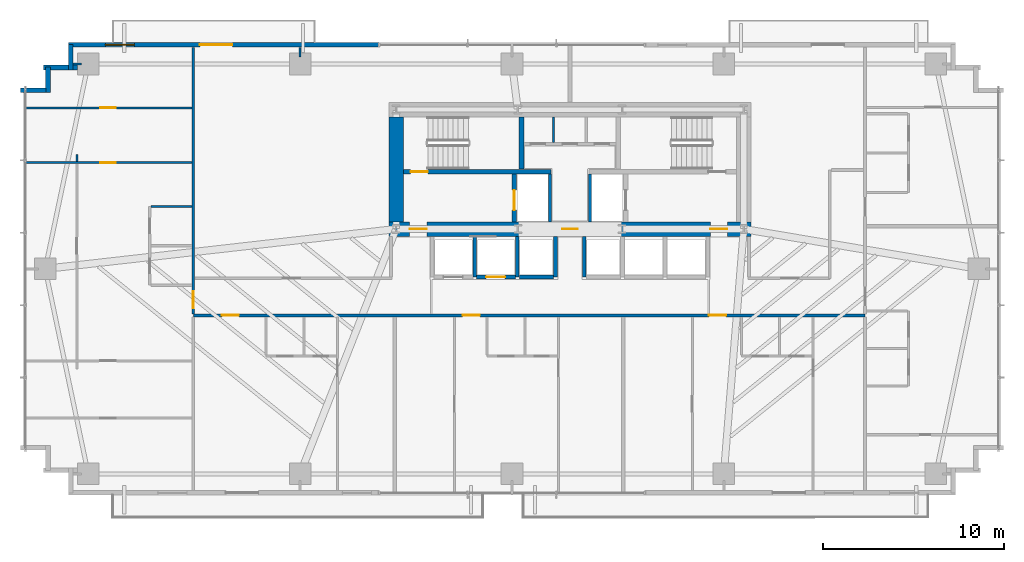
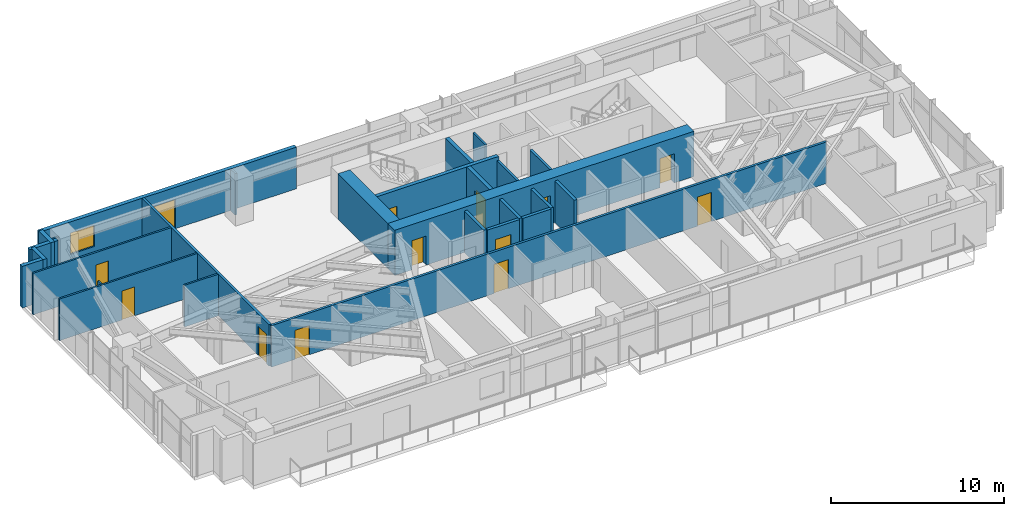
# One storey, part 20 of 25: 27 walls, 13 doors, 1 window, 14 openings.
"""IFC4 building model written with IfcOpenShell, lengths in metres."""

from ifc_helpers import new_model, si_unit, direction, frame, frame_2d, origin, place, context, subcontext, project, spatial, rectangle, extrude, source, transform, mapped, material, layer, layer_set, type_object, type_shapes, element, fill, save


model = new_model("IFC4")

# Units and contexts
model_context = context("Model", 3, precision=1e-05, world=origin(), true_north=direction((0.0, 1.0)))
body_context = subcontext(model_context, "Body", "Model", "MODEL_VIEW")
ifc_project = project(units=[si_unit("LENGTHUNIT", "METRE"), si_unit("AREAUNIT", "SQUARE_METRE"), si_unit("VOLUMEUNIT", "CUBIC_METRE"), si_unit("PLANEANGLEUNIT", "RADIAN"), si_unit("MASSUNIT", "GRAM", prefix="KILO")], contexts=[model_context])

# Site, building, storey
site_placement = place(None, origin())
site = spatial("IfcSite", under=ifc_project, at=site_placement, CompositionType="ELEMENT")
building_placement = place(site_placement, origin())
building = spatial("IfcBuilding", under=site, at=building_placement, Name="Astriad Promenade Condominiums", CompositionType="ELEMENT")
storey_placement = place(building_placement, frame((0.0, 0.0, 42.199951171875)))
storey = spatial("IfcBuildingStorey", under=building, at=storey_placement, Name="L11", CompositionType="ELEMENT", Elevation=42.199951171875)

# Wall, openings, doors
ifc_material_1 = material(Name="Concrete C80/95", Category="concrete")
ifc_layer_1 = layer(ifc_material_1, 0.800048828125)
ifc_layer_set_1 = layer_set([ifc_layer_1], Name="Concrete C80/95")
wall_type_1 = type_object("IfcWallType", Name="CW-SHEAR-800", PredefinedType="SHEAR", material=ifc_layer_set_1)
wall_1_placement = place(storey_placement, frame((26.0, 17.39990234375, 0.0), z_axis=(0.0, 0.0, 1.0), x_axis=(1.0, 0.0, 0.0)))
wall_1 = element("IfcWall", 1, at=wall_1_placement, inside=storey, type_object=wall_type_1, Name="CW-CORE-S-L11", PredefinedType="SHEAR", context=body_context, shape_type="SweptSolid", body=[
    extrude(rectangle(XDim=20.0, YDim=0.800048828125, at=frame_2d((10.0, 0.0))), origin(), (0.0, 0.0, 1.0), 3.199951171875),
])
opening_1_placement = place(wall_1_placement, frame((1.14990234375, 0.0, 0.0)))
opening_1 = element("IfcOpeningElement", 2, at=opening_1_placement, cuts=wall_1, Name="Opening FD90-ST-095", PredefinedType="OPENING", context=body_context, shape_type="SweptSolid", body=[
    extrude(rectangle(XDim=0.949951171875, YDim=2.06005859375, at=frame_2d((0.47509765625, 1.030029296875))), frame((0.0, 0.409912109375, 0.0), z_axis=(0.0, -1.0, 0.0), x_axis=(1.0, 0.0, 0.0)), (0.0, 0.0, 1.0), 0.820068359375),
])
opening_2_placement = place(wall_1_placement, frame((9.580078125, 0.0, 0.0)))
opening_2 = element("IfcOpeningElement", 3, at=opening_2_placement, cuts=wall_1, Name="Opening FD60-ULOW-085", PredefinedType="OPENING", context=body_context, shape_type="SweptSolid", body=[
    extrude(rectangle(XDim=0.85009765625, YDim=2.0, at=frame_2d((0.425048828125, 1.0))), frame((0.0, 0.409912109375, 0.0), z_axis=(0.0, -1.0, 0.0), x_axis=(1.0, 0.0, 0.0)), (0.0, 0.0, 1.0), 0.820068359375),
])
opening_3_placement = place(wall_1_placement, frame((17.75, 0.0, 0.0)))
opening_3 = element("IfcOpeningElement", 4, at=opening_3_placement, cuts=wall_1, Name="Opening FD90-ST-095", PredefinedType="OPENING", context=body_context, shape_type="SweptSolid", body=[
    extrude(rectangle(XDim=0.949951171875, YDim=2.06005859375, at=frame_2d((0.47509765625, 1.030029296875))), frame((0.0, 0.409912109375, 0.0), z_axis=(0.0, -1.0, 0.0), x_axis=(1.0, 0.0, 0.0)), (0.0, 0.0, 1.0), 0.820068359375),
])
ifc_material_2 = material(Name="Fire-Rated Hollow Metal Stair Door")
door_type_1 = type_object("IfcDoorType", Name="FD90-ST-095", OperationType="NOTDEFINED", PredefinedType="DOOR", material=ifc_material_2)
shared_shape_1 = source(origin(), body_context, "Body", "SweptSolid", [
    extrude(rectangle(XDim=0.949951171875, YDim=2.06005859375, at=frame_2d((0.47509765625, 1.030029296875))), frame((0.0, 0.02490234375, 0.0), z_axis=(0.0, -1.0, 0.0), x_axis=(1.0, 0.0, 0.0)), (0.0, 0.0, 1.0), 0.050048828125),
])
type_shapes(door_type_1, [shared_shape_1])
door_1_placement = place(opening_1_placement, origin())
door_1 = element("IfcDoor", 5, at=door_1_placement, inside=storey, type_object=door_type_1, Name="D-FFW-L11", OperationType="SINGLE_SWING_LEFT", OverallHeight=2.06005859375, OverallWidth=0.949951171875, PredefinedType="DOOR", context=body_context, shape_type="MappedRepresentation", body=[
    mapped(shared_shape_1, transform((0.0, 0.0, 0.0), scale=1.0)),
])
fill(opening_1, door_1)
door_2_placement = place(opening_3_placement, origin())
door_2 = element("IfcDoor", 6, at=door_2_placement, inside=storey, type_object=door_type_1, Name="D-FFE-L11", OperationType="SINGLE_SWING_RIGHT", OverallHeight=2.06005859375, OverallWidth=0.949951171875, PredefinedType="DOOR", context=body_context, shape_type="MappedRepresentation", body=[
    mapped(shared_shape_1, transform((0.0, 0.0, 0.0), scale=1.0)),
])
fill(opening_3, door_2)
ifc_material_3 = material(Name="Solid-Core Low-Headroom Fire Door")
door_type_2 = type_object("IfcDoorType", Name="FD60-ULOW-085", OperationType="NOTDEFINED", PredefinedType="DOOR", material=ifc_material_3)
shared_shape_2 = source(origin(), body_context, "Body", "SweptSolid", [
    extrude(rectangle(XDim=0.85009765625, YDim=2.0, at=frame_2d((0.425048828125, 1.0))), frame((0.0, 0.02490234375, 0.0), z_axis=(0.0, -1.0, 0.0), x_axis=(1.0, 0.0, 0.0)), (0.0, 0.0, 1.0), 0.050048828125),
])
type_shapes(door_type_2, [shared_shape_2])
door_3_placement = place(opening_2_placement, origin())
door_3 = element("IfcDoor", 7, at=door_3_placement, inside=storey, type_object=door_type_2, Name="D-CSL-L11", OperationType="SINGLE_SWING_RIGHT", OverallHeight=2.0, OverallWidth=0.85009765625, PredefinedType="DOOR", context=body_context, shape_type="MappedRepresentation", body=[
    mapped(shared_shape_2, transform((0.0, 0.0, 0.0), scale=1.0)),
])
fill(opening_2, door_3)

# Wall
wall_2_placement = place(storey_placement, frame((26.39990234375, 17.802001953125, 0.0), z_axis=(0.0, 0.0, 1.0), x_axis=(0.0, 1.0, 0.0)))
element("IfcWall", 8, at=wall_2_placement, inside=storey, type_object=wall_type_1, Name="CW-CORE-W-L11", PredefinedType="SHEAR", context=body_context, shape_type="SweptSolid", body=[
    extrude(rectangle(XDim=5.7958984375, YDim=0.800048828125, at=frame_2d((2.89794921875, 0.0))), origin(), (0.0, 0.0, 1.0), 3.199951171875),
])

# Wall, opening, door
ifc_material_4 = material(Name="Concrete C50/60", Category="concrete")
ifc_layer_2 = layer(ifc_material_4, 0.25)
ifc_layer_set_2 = layer_set([ifc_layer_2], Name="Concrete C50/60")
wall_type_2 = type_object("IfcWallType", Name="WALL-CORE-INT-250", PredefinedType="SOLIDWALL", material=ifc_layer_set_2)
wall_3_placement = place(storey_placement, frame((26.802001953125, 20.574951171875, 0.0), z_axis=(0.0, 0.0, 1.0), x_axis=(1.0, 0.0, 0.0)))
wall_3 = element("IfcWall", 9, at=wall_3_placement, inside=storey, type_object=wall_type_2, Name="CW-INT-H1-L11", PredefinedType="SOLIDWALL", context=body_context, shape_type="SweptSolid", body=[
    extrude(rectangle(XDim=8.14794921875, YDim=0.25, at=frame_2d((4.073974609375, 0.0))), origin(), (0.0, 0.0, 1.0), 3.199951171875),
])
opening_4_placement = place(wall_3_placement, frame((0.39794921875, 0.0, 0.0)))
opening_4 = element("IfcOpeningElement", 10, at=opening_4_placement, cuts=wall_3, Name="Opening FD90-ST-095", PredefinedType="OPENING", context=body_context, shape_type="SweptSolid", body=[
    extrude(rectangle(XDim=0.949951171875, YDim=2.06005859375, at=frame_2d((0.47509765625, 1.030029296875))), frame((0.0, 0.135009765625, 0.0), z_axis=(0.0, -1.0, 0.0), x_axis=(1.0, 0.0, 0.0)), (0.0, 0.0, 1.0), 0.27001953125),
])
door_4_placement = place(opening_4_placement, origin())
door_4 = element("IfcDoor", 11, at=door_4_placement, inside=storey, type_object=door_type_1, Name="D-ST1-L11", OperationType="SINGLE_SWING_RIGHT", OverallHeight=2.06005859375, OverallWidth=0.949951171875, PredefinedType="DOOR", context=body_context, shape_type="MappedRepresentation", body=[
    mapped(shared_shape_1, transform((0.0, 0.0, 0.0), scale=1.0)),
])
fill(opening_4, door_4)

# Wall
wall_4_placement = place(storey_placement, frame((33.324951171875, 20.701904296875, 0.0), z_axis=(0.0, 0.0, 1.0), x_axis=(0.0, 1.0, 0.0)))
element("IfcWall", 12, at=wall_4_placement, inside=storey, type_object=wall_type_2, Name="CW-ST1-E-L11", PredefinedType="SOLIDWALL", context=body_context, shape_type="SweptSolid", body=[
    extrude(rectangle(XDim=2.89599609375, YDim=0.25, at=frame_2d((1.447998046875, 0.0))), origin(), (0.0, 0.0, 1.0), 3.199951171875),
])

# Wall, opening, door
wall_5_placement = place(storey_placement, frame((32.925048828125, 17.802001953125, 0.0), z_axis=(0.0, 0.0, 1.0), x_axis=(0.0, 1.0, 0.0)))
wall_5 = element("IfcWall", 13, at=wall_5_placement, inside=storey, type_object=wall_type_2, Name="CW-FFL1-W-L11", PredefinedType="SOLIDWALL", context=body_context, shape_type="SweptSolid", body=[
    extrude(rectangle(XDim=2.64599609375, YDim=0.25, at=frame_2d((1.322998046875, 0.0))), origin(), (0.0, 0.0, 1.0), 3.199951171875),
])
opening_5_placement = place(wall_5_placement, frame((0.64794921875, 0.0, 0.0)))
opening_5 = element("IfcOpeningElement", 14, at=opening_5_placement, cuts=wall_5, Name="Opening LD-FFL-1122", PredefinedType="OPENING", context=body_context, shape_type="SweptSolid", body=[
    extrude(rectangle(XDim=1.10009765625, YDim=2.080078125, at=frame_2d((0.550048828125, 1.0400390625))), frame((0.0, 0.135009765625, 0.0), z_axis=(0.0, -1.0, 0.0), x_axis=(1.0, 0.0, 0.0)), (0.0, 0.0, 1.0), 0.27001953125),
])
ifc_material_5 = material(Name="Brushed Stainless Steel Fire Elevator Landing Door", Category="steel")
door_type_3 = type_object("IfcDoorType", Name="LD-FFL-1122", OperationType="NOTDEFINED", PredefinedType="DOOR", material=ifc_material_5)
shared_shape_3 = source(origin(), body_context, "Body", "SweptSolid", [
    extrude(rectangle(XDim=1.10009765625, YDim=2.080078125, at=frame_2d((0.550048828125, 1.0400390625))), frame((0.0, 0.02490234375, 0.0), z_axis=(0.0, -1.0, 0.0), x_axis=(1.0, 0.0, 0.0)), (0.0, 0.0, 1.0), 0.050048828125),
])
type_shapes(door_type_3, [shared_shape_3])
door_5_placement = place(opening_5_placement, origin())
door_5 = element("IfcDoor", 15, at=door_5_placement, inside=storey, type_object=door_type_3, Name="Elevator Landing Door FFL-1 (L11)", OperationType="SLIDING_TO_LEFT", OverallHeight=2.080078125, OverallWidth=1.10009765625, PredefinedType="DOOR", context=body_context, shape_type="MappedRepresentation", body=[
    mapped(shared_shape_3, transform((0.0, 0.0, 0.0), scale=1.0)),
])
fill(opening_5, door_5)

# Walls
ifc_material_6 = material(Name="Fire-Rated Gypsum Partition")
ifc_layer_3 = layer(ifc_material_6, 0.159912109375)
ifc_layer_set_3 = layer_set([ifc_layer_3], Name="Fire-Rated Gypsum Partition")
wall_type_3 = type_object("IfcWallType", Name="WALL-CORR-160", PredefinedType="PARTITIONING", material=ifc_layer_set_3)
for number, where, z_axis, x_axis, name in (
    (16, (34.89990234375, 17.802001953125, 0.0), (0.0, 0.0, 1.0), (0.0, 1.0, 0.0), "CW-FFL1-E-L11"),
    (17, (37.10009765625, 17.802001953125, 0.0), (0.0, 0.0, 1.0), (0.0, 1.0, 0.0), "CW-FFL2-W-L11"),
):
    element("IfcWall", number, at=place(storey_placement, frame(where, z_axis=z_axis, x_axis=x_axis)), inside=storey, type_object=wall_type_3, Name=name, PredefinedType="PARTITIONING", context=body_context, shape_type="SweptSolid", body=[
        extrude(rectangle(XDim=2.64599609375, YDim=0.159912109375, at=frame_2d((1.322998046875, 0.0))), origin(), (0.0, 0.0, 1.0), 2.93994140625),
    ])

# Wall, openings, doors
wall_6_placement = place(storey_placement, frame((15.199951171875, 12.6298828125, 0.0), z_axis=(0.0, 0.0, 1.0), x_axis=(1.0, 0.0, 0.0)))
wall_6 = element("IfcWall", 18, at=wall_6_placement, inside=storey, type_object=wall_type_3, Name="PT-COR-S-L11", PredefinedType="PARTITIONING", context=body_context, shape_type="SweptSolid", body=[
    extrude(rectangle(XDim=37.10009765625, YDim=0.159912109375, at=frame_2d((18.550048828125, 0.0))), origin(), (0.0, 0.0, 1.0), 2.93994140625),
])
opening_6_placement = place(wall_6_placement, frame((1.572021484375, 0.0, 0.0)))
opening_6 = element("IfcOpeningElement", 19, at=opening_6_placement, cuts=wall_6, Name="Opening FD60-APT-095", PredefinedType="OPENING", context=body_context, shape_type="SweptSolid", body=[
    extrude(rectangle(XDim=0.949951171875, YDim=2.06005859375, at=frame_2d((0.47509765625, 1.030029296875))), frame((0.0, 0.08984375, 0.0), z_axis=(0.0, -1.0, 0.0), x_axis=(1.0, 0.0, 0.0)), (0.0, 0.0, 1.0), 0.179931640625),
])
opening_7_placement = place(wall_6_placement, frame((14.876953125, 0.0, 0.0)))
opening_7 = element("IfcOpeningElement", 20, at=opening_7_placement, cuts=wall_6, Name="Opening FD60-APT-095", PredefinedType="OPENING", context=body_context, shape_type="SweptSolid", body=[
    extrude(rectangle(XDim=0.949951171875, YDim=2.06005859375, at=frame_2d((0.47509765625, 1.030029296875))), frame((0.0, 0.08984375, 0.0), z_axis=(0.0, -1.0, 0.0), x_axis=(1.0, 0.0, 0.0)), (0.0, 0.0, 1.0), 0.179931640625),
])
opening_8_placement = place(wall_6_placement, frame((28.47607421875, 0.0, 0.0)))
opening_8 = element("IfcOpeningElement", 21, at=opening_8_placement, cuts=wall_6, Name="Opening FD60-APT-095", PredefinedType="OPENING", context=body_context, shape_type="SweptSolid", body=[
    extrude(rectangle(XDim=0.949951171875, YDim=2.06005859375, at=frame_2d((0.47509765625, 1.030029296875))), frame((0.0, 0.08984375, 0.0), z_axis=(0.0, -1.0, 0.0), x_axis=(1.0, 0.0, 0.0)), (0.0, 0.0, 1.0), 0.179931640625),
])
ifc_material_7 = material(Name="Solid-Core Acoustic Timber Residence Entry Door", Category="wood")
door_type_4 = type_object("IfcDoorType", Name="FD60-APT-095", OperationType="NOTDEFINED", PredefinedType="DOOR", material=ifc_material_7)
shared_shape_4 = source(origin(), body_context, "Body", "SweptSolid", [
    extrude(rectangle(XDim=0.949951171875, YDim=2.06005859375, at=frame_2d((0.47509765625, 1.030029296875))), frame((0.0, 0.02490234375, 0.0), z_axis=(0.0, -1.0, 0.0), x_axis=(1.0, 0.0, 0.0)), (0.0, 0.0, 1.0), 0.050048828125),
])
type_shapes(door_type_4, [shared_shape_4])
door_6_placement = place(opening_6_placement, origin())
door_6 = element("IfcDoor", 22, at=door_6_placement, inside=storey, type_object=door_type_4, Name="D-ENT-L11-S1", OperationType="SINGLE_SWING_LEFT", OverallHeight=2.06005859375, OverallWidth=0.949951171875, PredefinedType="DOOR", context=body_context, shape_type="MappedRepresentation", body=[
    mapped(shared_shape_4, transform((0.0, 0.0, 0.0), scale=1.0)),
])
fill(opening_6, door_6)
door_7_placement = place(opening_7_placement, origin())
door_7 = element("IfcDoor", 23, at=door_7_placement, inside=storey, type_object=door_type_4, Name="D-ENT-L11-S2", OperationType="SINGLE_SWING_RIGHT", OverallHeight=2.06005859375, OverallWidth=0.949951171875, PredefinedType="DOOR", context=body_context, shape_type="MappedRepresentation", body=[
    mapped(shared_shape_4, transform((0.0, 0.0, 0.0), scale=1.0)),
])
fill(opening_7, door_7)
door_8_placement = place(opening_8_placement, origin())
door_8 = element("IfcDoor", 24, at=door_8_placement, inside=storey, type_object=door_type_4, Name="D-ENT-L11-S3", OperationType="SINGLE_SWING_LEFT", OverallHeight=2.06005859375, OverallWidth=0.949951171875, PredefinedType="DOOR", context=body_context, shape_type="MappedRepresentation", body=[
    mapped(shared_shape_4, transform((0.0, 0.0, 0.0), scale=1.0)),
])
fill(opening_8, door_8)

# Wall, opening, door
wall_7_placement = place(storey_placement, frame((15.199951171875, 12.7119140625, 0.0), z_axis=(0.0, 0.0, 1.0), x_axis=(0.0, 1.0, 0.0)))
wall_7 = element("IfcWall", 25, at=wall_7_placement, inside=storey, type_object=wall_type_3, Name="PT-COR-W-L11-S2", PredefinedType="PARTITIONING", context=body_context, shape_type="SweptSolid", body=[
    extrude(rectangle(XDim=14.72607421875, YDim=0.159912109375, at=frame_2d((7.363037109375, 0.0))), origin(), (0.0, 0.0, 1.0), 2.93994140625),
])
opening_9_placement = place(wall_7_placement, frame((0.31201171875, 0.0, 0.0)))
opening_9 = element("IfcOpeningElement", 26, at=opening_9_placement, cuts=wall_7, Name="Opening FD60-APT-095", PredefinedType="OPENING", context=body_context, shape_type="SweptSolid", body=[
    extrude(rectangle(XDim=0.949951171875, YDim=2.06005859375, at=frame_2d((0.47509765625, 1.030029296875))), frame((0.0, 0.08984375, 0.0), z_axis=(0.0, -1.0, 0.0), x_axis=(1.0, 0.0, 0.0)), (0.0, 0.0, 1.0), 0.179931640625),
])
door_9_placement = place(opening_9_placement, origin())
door_9 = element("IfcDoor", 27, at=door_9_placement, inside=storey, type_object=door_type_4, Name="D-ENT-L11-W1", OperationType="SINGLE_SWING_LEFT", OverallHeight=2.06005859375, OverallWidth=0.949951171875, PredefinedType="DOOR", context=body_context, shape_type="MappedRepresentation", body=[
    mapped(shared_shape_4, transform((0.0, 0.0, 0.0), scale=1.0)),
])
fill(opening_9, door_9)

# Walls
ifc_material_8 = material(Name="Precast concrete C50/60", Category="concrete")
ifc_layer_4 = layer(ifc_material_8, 0.260009765625)
ifc_layer_set_4 = layer_set([ifc_layer_4], Name="Precast concrete C50/60")
wall_type_4 = type_object("IfcWallType", Name="WALL-EXT-TWR-260", PredefinedType="STANDARD", material=ifc_layer_set_4)
for number, where, z_axis, x_axis, name in (
    (28, (5.669921875, 25.070068359375, 0.0), (0.0, 0.0, 1.0), (1.0, 0.0, 0.0), "W-SER-L11-04"),
    (29, (7.179931640625, 24.93994140625, 0.0), (0.0, 0.0, 1.0), (0.0, 1.0, 0.0), "W-SER-L11-05"),
):
    element("IfcWall", number, at=place(storey_placement, frame(where, z_axis=z_axis, x_axis=x_axis)), inside=storey, type_object=wall_type_4, Name=name, PredefinedType="STANDARD", context=body_context, shape_type="SweptSolid", body=[
        extrude(rectangle(XDim=1.39501953125, YDim=0.260009765625, at=frame_2d((0.697509765625, 0.0))), origin(), (0.0, 0.0, 1.0), 2.93994140625),
    ])
wall_8_placement = place(storey_placement, frame((6.919921875, 26.320068359375, 0.0), z_axis=(0.0, 0.0, 1.0), x_axis=(1.0, 0.0, 0.0)))
element("IfcWall", 30, at=wall_8_placement, inside=storey, type_object=wall_type_4, Name="W-SER-L11-06", PredefinedType="STANDARD", context=body_context, shape_type="SweptSolid", body=[
    extrude(rectangle(XDim=1.878173828125, YDim=0.260009765625, at=frame_2d((0.93896484375, 0.0))), origin(), (0.0, 0.0, 1.0), 2.93994140625),
])
wall_9_placement = place(storey_placement, frame((8.429931640625, 26.18994140625, 0.0), z_axis=(0.0, 0.0, 1.0), x_axis=(0.0, 1.0, 0.0)))
element("IfcWall", 31, at=wall_9_placement, inside=storey, type_object=wall_type_4, Name="W-SER-L11-07", PredefinedType="STANDARD", context=body_context, shape_type="SweptSolid", body=[
    extrude(rectangle(XDim=1.39501953125, YDim=0.260009765625, at=frame_2d((0.697509765625, 0.0))), origin(), (0.0, 0.0, 1.0), 2.93994140625),
])

# Wall, openings, door, window
wall_10_placement = place(storey_placement, frame((8.300048828125, 27.570068359375, 0.0), z_axis=(0.0, 0.0, 1.0), x_axis=(1.0, 0.0, 0.0)))
wall_10 = element("IfcWall", 32, at=wall_10_placement, inside=storey, type_object=wall_type_4, Name="W-EXT-L11-N1", PredefinedType="STANDARD", context=body_context, shape_type="SweptSolid", body=[
    extrude(rectangle(XDim=17.14990234375, YDim=0.260009765625, at=frame_2d((8.574951171875, 0.0))), origin(), (0.0, 0.0, 1.0), 2.93994140625),
])
opening_10_placement = place(wall_10_placement, frame((7.263916015625, 0.0, 0.0)))
opening_10 = element("IfcOpeningElement", 33, at=opening_10_placement, cuts=wall_10, Name="Opening BD-1822-SLD", PredefinedType="OPENING", context=body_context, shape_type="SweptSolid", body=[
    extrude(rectangle(XDim=1.800048828125, YDim=2.06005859375, at=frame_2d((0.89990234375, 1.030029296875))), frame((0.0, 0.139892578125, 0.0), z_axis=(0.0, -1.0, 0.0), x_axis=(1.0, 0.0, 0.0)), (0.0, 0.0, 1.0), 0.280029296875),
])
opening_11_placement = place(wall_10_placement, frame((2.050048828125, 0.0, 0.64990234375)))
opening_11 = element("IfcOpeningElement", 34, at=opening_11_placement, cuts=wall_10, Name="Opening WIN-TWR-1620", PredefinedType="OPENING", context=body_context, shape_type="SweptSolid", body=[
    extrude(rectangle(XDim=1.60009765625, YDim=1.5, at=frame_2d((0.800048828125, 0.75))), frame((0.0, 0.139892578125, 0.0), z_axis=(0.0, -1.0, 0.0), x_axis=(1.0, 0.0, 0.0)), (0.0, 0.0, 1.0), 0.280029296875),
])
ifc_material_9 = material(Name="Thermally Broken Aluminium Sliding Balcony Door", Category="aluminium")
door_type_5 = type_object("IfcDoorType", Name="BD-1822-SLD", OperationType="NOTDEFINED", PredefinedType="DOOR", material=ifc_material_9)
shared_shape_5 = source(origin(), body_context, "Body", "SweptSolid", [
    extrude(rectangle(XDim=1.800048828125, YDim=2.06005859375, at=frame_2d((0.89990234375, 1.030029296875))), frame((0.0, 0.02490234375, 0.0), z_axis=(0.0, -1.0, 0.0), x_axis=(1.0, 0.0, 0.0)), (0.0, 0.0, 1.0), 0.050048828125),
])
type_shapes(door_type_5, [shared_shape_5])
door_10_placement = place(opening_10_placement, origin())
door_10 = element("IfcDoor", 35, at=door_10_placement, inside=storey, type_object=door_type_5, Name="BD-L11-NW", OperationType="SLIDING_TO_LEFT", OverallHeight=2.06005859375, OverallWidth=1.800048828125, PredefinedType="DOOR", context=body_context, shape_type="MappedRepresentation", body=[
    mapped(shared_shape_5, transform((0.0, 0.0, 0.0), scale=1.0)),
])
fill(opening_10, door_10)
ifc_material_10 = material(Name="Dark Tinted Triple-Glazed Aluminium Window", Category="aluminium")
window_type = type_object("IfcWindowType", Name="WIN-TWR-1620", PartitioningType="SINGLE_PANEL", PredefinedType="WINDOW", material=ifc_material_10)
shared_shape_6 = source(origin(), body_context, "Body", "SweptSolid", [
    extrude(rectangle(XDim=1.60009765625, YDim=1.5, at=frame_2d((0.800048828125, 0.75))), frame((0.0, 0.030029296875, 0.0), z_axis=(0.0, -1.0, 0.0), x_axis=(1.0, 0.0, 0.0)), (0.0, 0.0, 1.0), 0.06005859375),
])
type_shapes(window_type, [shared_shape_6])
window_placement = place(opening_11_placement, origin())
window = element("IfcWindow", 36, at=window_placement, inside=storey, type_object=window_type, Name="WIN-L11-NW", OverallHeight=1.5, OverallWidth=1.60009765625, PartitioningType="SINGLE_PANEL", PredefinedType="WINDOW", context=body_context, shape_type="MappedRepresentation", body=[
    mapped(shared_shape_6, transform((0.0, 0.0, 0.0), scale=1.0)),
])
fill(opening_11, window)

# Walls
ifc_material_11 = material(Name="Acoustic Metal-Stud Gypsum Partition")
ifc_layer_5 = layer(ifc_material_11, 0.1201171875)
ifc_layer_set_5 = layer_set([ifc_layer_5], Name="Acoustic Metal-Stud Gypsum Partition")
wall_type_5 = type_object("IfcWallType", Name="WALL-PART-120", PredefinedType="PARTITIONING", material=ifc_layer_set_5)
wall_11_placement = place(storey_placement, frame((35.10009765625, 22.181884765625, 0.0), z_axis=(0.0, 0.0, 1.0), x_axis=(0.0, 1.0, 0.0)))
element("IfcWall", 37, at=wall_11_placement, inside=storey, type_object=wall_type_5, Name="CW-AUX-V1-L11", PredefinedType="PARTITIONING", context=body_context, shape_type="SweptSolid", body=[
    extrude(rectangle(XDim=1.416015625, YDim=0.1201171875, at=frame_2d((0.7080078125, 0.0))), origin(), (0.0, 0.0, 1.0), 2.93994140625),
])
wall_12_placement = place(storey_placement, frame((12.862060546875, 18.64892578125, 0.0), z_axis=(0.0, 0.0, 1.0), x_axis=(1.0, 0.0, 0.0)))
element("IfcWall", 38, at=wall_12_placement, inside=storey, type_object=wall_type_5, Name="PT-L11-W1-PN", PredefinedType="PARTITIONING", context=body_context, shape_type="SweptSolid", body=[
    extrude(rectangle(XDim=2.255859375, YDim=0.1201171875, at=frame_2d((1.1279296875, 0.0))), origin(), (0.0, 0.0, 1.0), 2.93994140625),
])

# Wall, opening, door
wall_13_placement = place(storey_placement, frame((5.8798828125, 24.090087890625, 0.0), z_axis=(0.0, 0.0, 1.0), x_axis=(1.0, 0.0, 0.0)))
wall_13 = element("IfcWall", 39, at=wall_13_placement, inside=storey, type_object=wall_type_5, Name="PT-L11-W1-B1", PredefinedType="PARTITIONING", context=body_context, shape_type="SweptSolid", body=[
    extrude(rectangle(XDim=9.238037109375, YDim=0.1201171875, at=frame_2d((4.619140625, 0.0))), origin(), (0.0, 0.0, 1.0), 2.93994140625),
])
opening_12_placement = place(wall_13_placement, frame((4.18505859375, 0.0, 0.0)))
opening_12 = element("IfcOpeningElement", 40, at=opening_12_placement, cuts=wall_13, Name="Opening D-INT-085", PredefinedType="OPENING", context=body_context, shape_type="SweptSolid", body=[
    extrude(rectangle(XDim=0.85009765625, YDim=2.050048828125, at=frame_2d((0.425048828125, 1.02490234375))), frame((0.0, 0.070068359375, 0.0), z_axis=(0.0, -1.0, 0.0), x_axis=(1.0, 0.0, 0.0)), (0.0, 0.0, 1.0), 0.14013671875),
])
ifc_material_12 = material(Name="Painted Solid-Core Timber Room Door", Category="wood")
door_type_6 = type_object("IfcDoorType", Name="D-INT-085", OperationType="NOTDEFINED", PredefinedType="DOOR", material=ifc_material_12)
shared_shape_7 = source(origin(), body_context, "Body", "SweptSolid", [
    extrude(rectangle(XDim=0.85009765625, YDim=2.050048828125, at=frame_2d((0.425048828125, 1.02490234375))), frame((0.0, 0.02490234375, 0.0), z_axis=(0.0, -1.0, 0.0), x_axis=(1.0, 0.0, 0.0)), (0.0, 0.0, 1.0), 0.050048828125),
])
type_shapes(door_type_6, [shared_shape_7])
door_11_placement = place(opening_12_placement, origin())
door_11 = element("IfcDoor", 41, at=door_11_placement, inside=storey, type_object=door_type_6, Name="D-BD1-L11-W1", OperationType="SINGLE_SWING_RIGHT", OverallHeight=2.050048828125, OverallWidth=0.85009765625, PredefinedType="DOOR", context=body_context, shape_type="MappedRepresentation", body=[
    mapped(shared_shape_7, transform((0.0, 0.0, 0.0), scale=1.0)),
])
fill(opening_12, door_11)

wall_14_placement = place(storey_placement, frame((5.8798828125, 21.070068359375, 0.0), z_axis=(0.0, 0.0, 1.0), x_axis=(1.0, 0.0, 0.0)))
wall_14 = element("IfcWall", 42, at=wall_14_placement, inside=storey, type_object=wall_type_5, Name="PT-L11-W1-WDN3", PredefinedType="PARTITIONING", context=body_context, shape_type="SweptSolid", body=[
    extrude(rectangle(XDim=9.238037109375, YDim=0.1201171875, at=frame_2d((4.619140625, 0.0))), origin(), (0.0, 0.0, 1.0), 2.93994140625),
])
opening_13_placement = place(wall_14_placement, frame((4.18505859375, 0.0, 0.0)))
opening_13 = element("IfcOpeningElement", 43, at=opening_13_placement, cuts=wall_14, Name="Opening D-INT-085", PredefinedType="OPENING", context=body_context, shape_type="SweptSolid", body=[
    extrude(rectangle(XDim=0.85009765625, YDim=2.050048828125, at=frame_2d((0.425048828125, 1.02490234375))), frame((0.0, 0.070068359375, 0.0), z_axis=(0.0, -1.0, 0.0), x_axis=(1.0, 0.0, 0.0)), (0.0, 0.0, 1.0), 0.14013671875),
])
door_12_placement = place(opening_13_placement, origin())
door_12 = element("IfcDoor", 44, at=door_12_placement, inside=storey, type_object=door_type_6, Name="D-WDN3-L11-W1", OperationType="SINGLE_SWING_LEFT", OverallHeight=2.050048828125, OverallWidth=0.85009765625, PredefinedType="DOOR", context=body_context, shape_type="MappedRepresentation", body=[
    mapped(shared_shape_7, transform((0.0, 0.0, 0.0), scale=1.0)),
])
fill(opening_13, door_12)

# Walls
wall_15_placement = place(storey_placement, frame((8.77490234375, 21.132080078125, 0.0), z_axis=(0.0, 0.0, 1.0), x_axis=(0.0, 1.0, 0.0)))
element("IfcWall", 45, at=wall_15_placement, inside=storey, type_object=wall_type_5, Name="PT-L11-W1-WDV4-S3", PredefinedType="PARTITIONING", context=body_context, shape_type="SweptSolid", body=[
    extrude(rectangle(XDim=0.3779296875, YDim=0.1201171875, at=frame_2d((0.18896484375, 0.0))), origin(), (0.0, 0.0, 1.0), 2.93994140625),
])
wall_16_placement = place(storey_placement, frame((9.02001953125, 26.52001953125, 0.0), z_axis=(0.0, 0.0, 1.0), x_axis=(-1.0, 0.0, 0.0)))
element("IfcWall", 46, at=wall_16_placement, inside=storey, type_object=wall_type_5, Name="PT-PIL-L11-PC06-13", PredefinedType="PARTITIONING", context=body_context, shape_type="SweptSolid", body=[
    extrude(rectangle(XDim=0.4580078125, YDim=0.1201171875, at=frame_2d((0.22900390625, 0.0))), origin(), (0.0, 0.0, 1.0), 2.93994140625),
])
wall_17_placement = place(storey_placement, frame((21.10009765625, 26.89990234375, 0.0), z_axis=(0.0, 0.0, 1.0), x_axis=(0.0, 1.0, 0.0)))
element("IfcWall", 47, at=wall_17_placement, inside=storey, type_object=wall_type_5, Name="PT-PIL-L11-PC07-14", PredefinedType="PARTITIONING", context=body_context, shape_type="SweptSolid", body=[
    extrude(rectangle(XDim=0.5380859375, YDim=0.1201171875, at=frame_2d((0.26904296875, 0.0))), origin(), (0.0, 0.0, 1.0), 2.93994140625),
])
ifc_material_13 = material(Name="Gypsum Shaftliner Assembly")
ifc_layer_6 = layer(ifc_material_13, 0.199951171875)
ifc_layer_set_6 = layer_set([ifc_layer_6], Name="Gypsum Shaftliner Assembly")
wall_type_6 = type_object("IfcWallType", Name="WALL-SHAFT-200", PredefinedType="PARTITIONING", material=ifc_layer_set_6)
for number, where, z_axis, x_axis, name in (
    (48, (30.75, 14.75, 0.0), (0.0, 0.0, 1.0), (0.0, 1.0, 0.0), "PL-L-DIV-L11"),
    (49, (33.10009765625, 14.75, 0.0), (0.0, 0.0, 1.0), (0.0, 1.0, 0.0), "PL-LM-DIV-L11"),
):
    element("IfcWall", number, at=place(storey_placement, frame(where, z_axis=z_axis, x_axis=x_axis)), inside=storey, type_object=wall_type_6, Name=name, PredefinedType="PARTITIONING", context=body_context, shape_type="SweptSolid", body=[
        extrude(rectangle(XDim=2.248046875, YDim=0.199951171875, at=frame_2d((1.1240234375, 0.0))), origin(), (0.0, 0.0, 1.0), 2.93994140625),
    ])

# Wall, opening, door
wall_18_placement = place(storey_placement, frame((30.85205078125, 14.75, 0.0), z_axis=(0.0, 0.0, 1.0), x_axis=(1.0, 0.0, 0.0)))
wall_18 = element("IfcWall", 50, at=wall_18_placement, inside=storey, type_object=wall_type_6, Name="PL-L-FRT-L11-S2", PredefinedType="PARTITIONING", context=body_context, shape_type="SweptSolid", body=[
    extrude(rectangle(XDim=2.14599609375, YDim=0.199951171875, at=frame_2d((1.072998046875, 0.0))), origin(), (0.0, 0.0, 1.0), 2.93994140625),
])
opening_14_placement = place(wall_18_placement, frame((0.52294921875, 0.0, 0.0)))
opening_14 = element("IfcOpeningElement", 51, at=opening_14_placement, cuts=wall_18, Name="Opening LD-PL-10522", PredefinedType="OPENING", context=body_context, shape_type="SweptSolid", body=[
    extrude(rectangle(XDim=1.050048828125, YDim=2.080078125, at=frame_2d((0.52490234375, 1.0400390625))), frame((0.0, 0.10986328125, 0.0), z_axis=(0.0, -1.0, 0.0), x_axis=(1.0, 0.0, 0.0)), (0.0, 0.0, 1.0), 0.219970703125),
])
ifc_material_14 = material(Name="Brushed Bronze Passenger Elevator Landing Door")
door_type_7 = type_object("IfcDoorType", Name="LD-PL-10522", OperationType="NOTDEFINED", PredefinedType="DOOR", material=ifc_material_14)
shared_shape_8 = source(origin(), body_context, "Body", "SweptSolid", [
    extrude(rectangle(XDim=1.050048828125, YDim=2.080078125, at=frame_2d((0.52490234375, 1.0400390625))), frame((0.0, 0.02490234375, 0.0), z_axis=(0.0, -1.0, 0.0), x_axis=(1.0, 0.0, 0.0)), (0.0, 0.0, 1.0), 0.050048828125),
])
type_shapes(door_type_7, [shared_shape_8])
door_13_placement = place(opening_14_placement, origin())
door_13 = element("IfcDoor", 52, at=door_13_placement, inside=storey, type_object=door_type_7, Name="Elevator Landing Door PL-L2 (L11)", OperationType="SLIDING_TO_RIGHT", OverallHeight=2.080078125, OverallWidth=1.050048828125, PredefinedType="DOOR", context=body_context, shape_type="MappedRepresentation", body=[
    mapped(shared_shape_8, transform((0.0, 0.0, 0.0), scale=1.0)),
])
fill(opening_14, door_13)

# Walls
wall_19_placement = place(storey_placement, frame((35.199951171875, 14.75, 0.0), z_axis=(0.0, 0.0, 1.0), x_axis=(0.0, 1.0, 0.0)))
element("IfcWall", 53, at=wall_19_placement, inside=storey, type_object=wall_type_6, Name="PL-M1-E-L11", PredefinedType="PARTITIONING", context=body_context, shape_type="SweptSolid", body=[
    extrude(rectangle(XDim=2.248046875, YDim=0.199951171875, at=frame_2d((1.1240234375, 0.0))), origin(), (0.0, 0.0, 1.0), 2.93994140625),
])
wall_20_placement = place(storey_placement, frame((33.201904296875, 14.75, 0.0), z_axis=(0.0, 0.0, 1.0), x_axis=(1.0, 0.0, 0.0)))
element("IfcWall", 54, at=wall_20_placement, inside=storey, type_object=wall_type_6, Name="PL-M1-F-L11", PredefinedType="PARTITIONING", context=body_context, shape_type="SweptSolid", body=[
    extrude(rectangle(XDim=1.89599609375, YDim=0.199951171875, at=frame_2d((0.947998046875, 0.0))), origin(), (0.0, 0.0, 1.0), 2.93994140625),
])
wall_21_placement = place(storey_placement, frame((36.800048828125, 14.75, 0.0), z_axis=(0.0, 0.0, 1.0), x_axis=(0.0, 1.0, 0.0)))
element("IfcWall", 55, at=wall_21_placement, inside=storey, type_object=wall_type_6, Name="PL-M2-W-L11", PredefinedType="PARTITIONING", context=body_context, shape_type="SweptSolid", body=[
    extrude(rectangle(XDim=2.248046875, YDim=0.199951171875, at=frame_2d((1.1240234375, 0.0))), origin(), (0.0, 0.0, 1.0), 2.93994140625),
])

save(model, "model.ifc")
